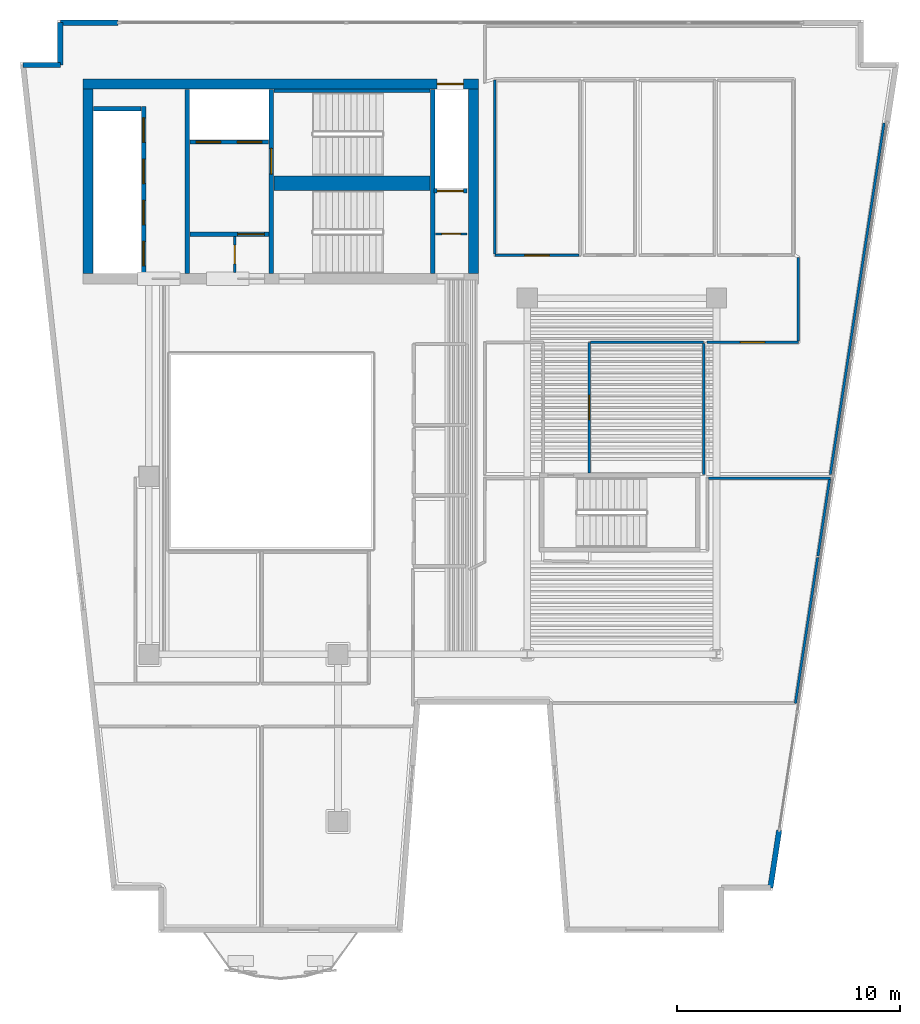
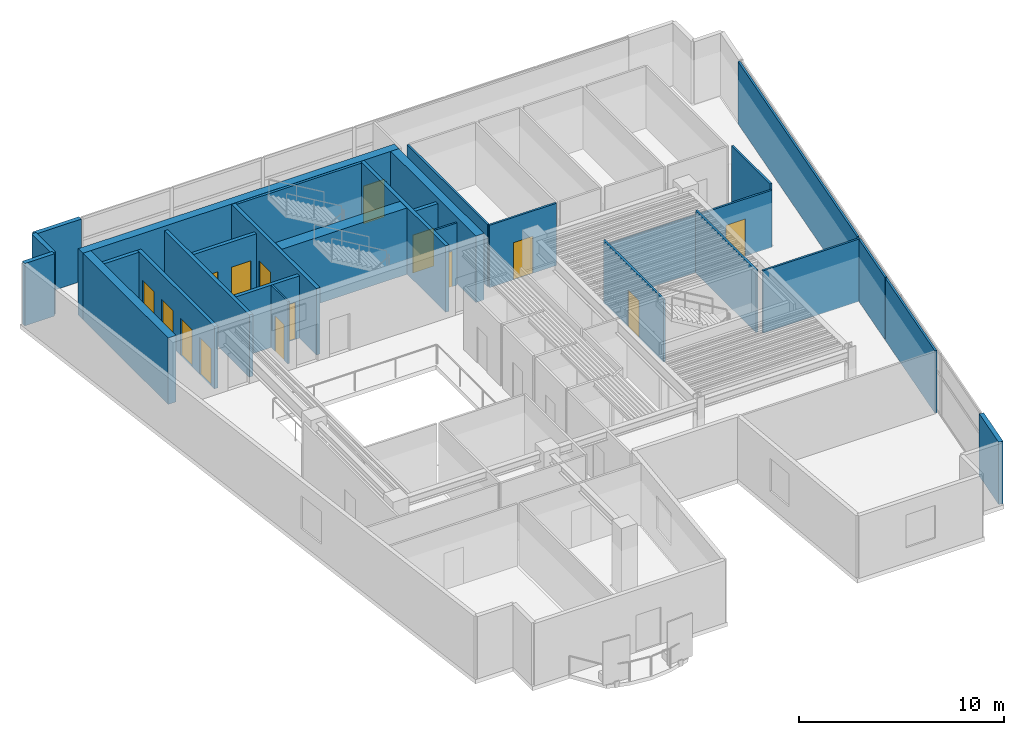
# One storey, part 5 of 8: 30 walls, 15 doors, 15 openings.
"""IFC4 building model written with IfcOpenShell, lengths in metres."""

from ifc_helpers import new_model, si_unit, direction, frame, frame_2d, origin, place, context, subcontext, project, spatial, rectangle, extrude, material, layer, layer_set, type_object, element, fill, save


model = new_model("IFC4")

# Units and contexts
model_context = context("Model", 3, precision=1e-05, world=origin(), true_north=direction((0.0, 1.0)))
body_context = subcontext(model_context, "Body", "Model", "MODEL_VIEW")
ifc_project = project(units=[si_unit("LENGTHUNIT", "METRE"), si_unit("AREAUNIT", "SQUARE_METRE"), si_unit("VOLUMEUNIT", "CUBIC_METRE"), si_unit("PLANEANGLEUNIT", "RADIAN"), si_unit("MASSUNIT", "GRAM", prefix="KILO")], contexts=[model_context])

# Site, building, storey
site_placement = place(None, origin())
site = spatial("IfcSite", under=ifc_project, at=site_placement, CompositionType="ELEMENT")
building_placement = place(site_placement, origin())
building = spatial("IfcBuilding", under=site, at=building_placement, Name="Caeloran Harvest Quay", CompositionType="ELEMENT")
storey_placement = place(building_placement, frame((0.0, 0.0, 243.0)))
storey = spatial("IfcBuildingStorey", under=building, at=storey_placement, Name="L58", CompositionType="ELEMENT", Elevation=243.0)

# Walls
ifc_material_1 = material(Name="Precast concrete C50/60", Category="concrete")
ifc_layer_1 = layer(ifc_material_1, 0.239990234375, Name="Precast concrete C50/60")
ifc_layer_set_1 = layer_set([ifc_layer_1], Name="Precast concrete C50/60")
wall_type_1 = type_object("IfcWallType", Name="ENV-WALL-EW-240", PredefinedType="STANDARD", material=ifc_layer_set_1)
wall_1_placement = place(storey_placement, frame((2.84423828125, 41.47998046875, 0.0), z_axis=(0.0, 0.0, 1.0), x_axis=(1.0, 0.0, 0.0)))
element("IfcWall", 1, at=wall_1_placement, inside=storey, type_object=wall_type_1, Name="L58 Exterior Precast Concrete Facade Wall 4", PredefinedType="STANDARD", context=body_context, shape_type="SweptSolid", body=[
    extrude(rectangle(XDim=1.67578125, YDim=0.239990234375, at=frame_2d((0.837890625, 0.0))), origin(), (0.0, 0.0, 1.0), 3.699951171875),
])
wall_2_placement = place(storey_placement, frame((4.52001953125, 41.47998046875, 0.0), z_axis=(0.0, 0.0, 1.0), x_axis=(0.0, 1.0, 0.0)))
element("IfcWall", 2, at=wall_2_placement, inside=storey, type_object=wall_type_1, Name="L58 Exterior Precast Concrete Facade Wall 5", PredefinedType="STANDARD", context=body_context, shape_type="SweptSolid", body=[
    extrude(rectangle(XDim=1.89990234375, YDim=0.239990234375, at=frame_2d((0.949951171875, 0.0))), origin(), (0.0, 0.0, 1.0), 3.699951171875),
])
wall_3_placement = place(storey_placement, frame((4.52001953125, 43.3798828125, 0.0), z_axis=(0.0, 0.0, 1.0), x_axis=(1.0, 0.0, 0.0)))
element("IfcWall", 3, at=wall_3_placement, inside=storey, type_object=wall_type_1, Name="L58 Exterior Facade Corner Pier Wall 6A", PredefinedType="STANDARD", context=body_context, shape_type="SweptSolid", body=[
    extrude(rectangle(XDim=2.60009765625, YDim=0.239990234375, at=frame_2d((1.300048828125, 0.0))), origin(), (0.0, 0.0, 1.0), 3.699951171875),
])
wall_4_placement = place(storey_placement, frame((36.81591796875, 7.090087890625, 0.0), z_axis=(0.0, 0.0, 1.0), x_axis=(-0.151090396132, -0.988519950328, 0.0)))
element("IfcWall", 4, at=wall_4_placement, inside=storey, type_object=wall_type_1, Name="L58 Exterior Facade Corner Pier Wall 9B", PredefinedType="STANDARD", context=body_context, shape_type="SweptSolid", body=[
    extrude(rectangle(XDim=2.599853515625, YDim=0.239990234375, at=frame_2d((1.2998046875, 0.0))), origin(), (0.0, 0.0, 1.0), 3.699951171875),
])

# Wall, opening, door
ifc_material_2 = material(Name="Fire-Resisting Gypsum Core Riser Partition", Category="gypsum")
ifc_layer_2 = layer(ifc_material_2, 0.10009765625, Name="Fire-Resisting Gypsum Core Riser Partition")
ifc_layer_set_2 = layer_set([ifc_layer_2], Name="Fire-Resisting Gypsum Core Riser Partition")
wall_type_2 = type_object("IfcWallType", Name="INT-WALL-PW-100", PredefinedType="PARTITIONING", material=ifc_layer_set_2)
wall_5_placement = place(storey_placement, frame((12.360107421875, 32.159912109375, 0.0), z_axis=(0.0, 0.0, 1.0), x_axis=(0.0, 1.0, 0.0)))
wall_5 = element("IfcWall", 5, at=wall_5_placement, inside=storey, type_object=wall_type_2, Name="L58 Core Store Partition Wall", PredefinedType="PARTITIONING", context=body_context, shape_type="SweptSolid", body=[
    extrude(rectangle(XDim=1.6201171875, YDim=0.10009765625, at=frame_2d((0.81005859375, 0.0))), origin(), (0.0, 0.0, 1.0), 3.699951171875),
])
opening_1_placement = place(wall_5_placement, frame((0.3798828125, 0.0, 0.0)))
opening_1 = element("IfcOpeningElement", 6, at=opening_1_placement, cuts=wall_5, Name="Opening SV-01", PredefinedType="OPENING", context=body_context, shape_type="SweptSolid", body=[
    extrude(rectangle(XDim=0.85009765625, YDim=2.10009765625, at=frame_2d((0.425048828125, 1.050048828125))), frame((0.0, 0.06005859375, 0.0), z_axis=(0.0, -1.0, 0.0), x_axis=(1.0, 0.0, 0.0)), (0.0, 0.0, 1.0), 0.1201171875),
])
ifc_material_3 = material(Name="Galvanized Painted Steel", Category="steel")
door_type_1 = type_object("IfcDoorType", Name="INTDOOR-SV-01", OperationType="NOTDEFINED", PredefinedType="DOOR", material=ifc_material_3)
door_1_placement = place(opening_1_placement, origin())
door_1 = element("IfcDoor", 7, at=door_1_placement, inside=storey, type_object=door_type_1, Name="L58 Core Service Room Access Door", OperationType="SINGLE_SWING_LEFT", OverallHeight=2.10009765625, OverallWidth=0.85009765625, PredefinedType="DOOR", context=body_context, shape_type="SweptSolid", body=[
    extrude(rectangle(XDim=0.85009765625, YDim=2.10009765625, at=frame_2d((0.425048828125, 1.050048828125))), frame((0.0, 0.02490234375, 0.0), z_axis=(0.0, -1.0, 0.0), x_axis=(1.0, 0.0, 0.0)), (0.0, 0.0, 1.0), 0.050048828125),
])
fill(opening_1, door_1)

wall_6_placement = place(storey_placement, frame((21.3798828125, 33.889892578125, 0.0), z_axis=(0.0, 0.0, 1.0), x_axis=(1.0, 0.0, 0.0)))
wall_6 = element("IfcWall", 8, at=wall_6_placement, inside=storey, type_object=wall_type_2, Name="L58 Cleaner Store Partition Wall", PredefinedType="PARTITIONING", context=body_context, shape_type="SweptSolid", body=[
    extrude(rectangle(XDim=1.420166015625, YDim=0.10009765625, at=frame_2d((0.7099609375, 0.0))), origin(), (0.0, 0.0, 1.0), 3.699951171875),
])
opening_2_placement = place(wall_6_placement, frame((0.280029296875, 0.0, 0.0)))
opening_2 = element("IfcOpeningElement", 9, at=opening_2_placement, cuts=wall_6, Name="Opening SV-01", PredefinedType="OPENING", context=body_context, shape_type="SweptSolid", body=[
    extrude(rectangle(XDim=0.85009765625, YDim=2.10009765625, at=frame_2d((0.425048828125, 1.050048828125))), frame((0.0, 0.06005859375, 0.0), z_axis=(0.0, -1.0, 0.0), x_axis=(1.0, 0.0, 0.0)), (0.0, 0.0, 1.0), 0.1201171875),
])
door_2_placement = place(opening_2_placement, origin())
door_2 = element("IfcDoor", 10, at=door_2_placement, inside=storey, type_object=door_type_1, Name="L58 Cleaner Supply Store Access Door", OperationType="SINGLE_SWING_RIGHT", OverallHeight=2.10009765625, OverallWidth=0.85009765625, PredefinedType="DOOR", context=body_context, shape_type="SweptSolid", body=[
    extrude(rectangle(XDim=0.85009765625, YDim=2.10009765625, at=frame_2d((0.425048828125, 1.050048828125))), frame((0.0, 0.02490234375, 0.0), z_axis=(0.0, -1.0, 0.0), x_axis=(1.0, 0.0, 0.0)), (0.0, 0.0, 1.0), 0.050048828125),
])
fill(opening_2, door_2)

ifc_material_4 = material(Name="Single-Stud Acoustic Gypsum Office Partition", Category="gypsum")
ifc_layer_3 = layer(ifc_material_4, 0.112060546875, Name="Single-Stud Acoustic Gypsum Office Partition")
ifc_layer_set_3 = layer_set([ifc_layer_3], Name="Single-Stud Acoustic Gypsum Office Partition")
wall_type_3 = type_object("IfcWallType", Name="INT-WALL-PW-112", PredefinedType="PARTITIONING", material=ifc_layer_set_3)
wall_7_placement = place(storey_placement, frame((27.819091796875, 32.919921875, 0.0), z_axis=(0.0, 0.0, 1.0), x_axis=(-1.0, 0.0, 0.0)))
wall_7 = element("IfcWall", 11, at=wall_7_placement, inside=storey, type_object=wall_type_3, Name="L58 Crop Phenotyping West Laboratory Partition Wall", PredefinedType="PARTITIONING", context=body_context, shape_type="SweptSolid", body=[
    extrude(rectangle(XDim=3.76904296875, YDim=0.112060546875, at=frame_2d((1.884521484375, 0.0))), origin(), (0.0, 0.0, 1.0), 3.699951171875),
])
opening_3_placement = place(wall_7_placement, frame((1.33447265625, 0.0, 0.0)))
opening_3 = element("IfcOpeningElement", 12, at=opening_3_placement, cuts=wall_7, Name="Opening ID-04", PredefinedType="OPENING", context=body_context, shape_type="SweptSolid", body=[
    extrude(rectangle(XDim=1.10009765625, YDim=2.199951171875, at=frame_2d((0.550048828125, 1.10009765625))), frame((0.0, 0.06591796875, 0.0), z_axis=(0.0, -1.0, 0.0), x_axis=(1.0, 0.0, 0.0)), (0.0, 0.0, 1.0), 0.132080078125),
])
ifc_material_5 = material(Name="Acoustic Walnut Veneer Executive Door", Category="wood")
door_type_2 = type_object("IfcDoorType", Name="INTDOOR-ID-04", OperationType="NOTDEFINED", PredefinedType="DOOR", material=ifc_material_5)
door_3_placement = place(opening_3_placement, origin())
door_3 = element("IfcDoor", 13, at=door_3_placement, inside=storey, type_object=door_type_2, Name="L58 Crop Phenotyping West Laboratory Access Door", OperationType="SINGLE_SWING_LEFT", OverallHeight=2.199951171875, OverallWidth=1.10009765625, PredefinedType="DOOR", context=body_context, shape_type="SweptSolid", body=[
    extrude(rectangle(XDim=1.10009765625, YDim=2.199951171875, at=frame_2d((0.550048828125, 1.10009765625))), frame((0.0, 0.02490234375, 0.0), z_axis=(0.0, -1.0, 0.0), x_axis=(1.0, 0.0, 0.0)), (0.0, 0.0, 1.0), 0.050048828125),
])
fill(opening_3, door_3)

# Walls
wall_8_placement = place(storey_placement, frame((24.050048828125, 32.98095703125, 0.0), z_axis=(0.0, 0.0, 1.0), x_axis=(0.0, 1.0, 0.0)))
element("IfcWall", 14, at=wall_8_placement, inside=storey, type_object=wall_type_3, Name="L58 Crop Phenotyping West Laboratory Partition Wall", PredefinedType="PARTITIONING", context=body_context, shape_type="SweptSolid", body=[
    extrude(rectangle(XDim=7.819091796875, YDim=0.112060546875, at=frame_2d((3.90966796875, 0.0))), origin(), (0.0, 0.0, 1.0), 3.699951171875),
])
wall_9_placement = place(storey_placement, frame((33.64111328125, 22.919921875, 0.0), z_axis=(0.0, 0.0, 1.0), x_axis=(1.0, 0.0, 0.0)))
element("IfcWall", 15, at=wall_9_placement, inside=storey, type_object=wall_type_3, Name="Client Review Meeting Room Partition Wall", PredefinedType="PARTITIONING", context=body_context, shape_type="SweptSolid", body=[
    extrude(rectangle(XDim=5.487060546875, YDim=0.112060546875, at=frame_2d((2.74365234375, 0.0))), origin(), (0.0, 0.0, 1.0), 3.699951171875),
])
wall_10_placement = place(storey_placement, frame((39.083740234375, 22.85888671875, 0.0), z_axis=(0.0, 0.0, 1.0), x_axis=(-0.151050155671, -0.988526100046, 0.0)))
element("IfcWall", 16, at=wall_10_placement, inside=storey, type_object=wall_type_3, Name="Client Review Meeting Room Partition Wall", PredefinedType="PARTITIONING", context=body_context, shape_type="SweptSolid", body=[
    extrude(rectangle(XDim=3.47998046875, YDim=0.112060546875, at=frame_2d((1.739990234375, 0.0))), origin(), (0.0, 0.0, 1.0), 3.699951171875),
])
wall_11_placement = place(storey_placement, frame((38.547607421875, 19.351806640625, 0.0), z_axis=(0.0, 0.0, 1.0), x_axis=(-0.150955405806, -0.988540573501, 0.0)))
element("IfcWall", 17, at=wall_11_placement, inside=storey, type_object=wall_type_3, Name="Client Review Meeting Room Partition Wall", PredefinedType="PARTITIONING", context=body_context, shape_type="SweptSolid", body=[
    extrude(rectangle(XDim=6.627685546875, YDim=0.112060546875, at=frame_2d((3.31396484375, 0.0))), origin(), (0.0, 0.0, 1.0), 3.699951171875),
])

# Wall, opening, door
wall_12_placement = place(storey_placement, frame((28.280029296875, 23.155029296875, 0.0), z_axis=(0.0, 0.0, 1.0), x_axis=(0.0, 1.0, 0.0)))
wall_12 = element("IfcWall", 18, at=wall_12_placement, inside=storey, type_object=wall_type_3, Name="Sustainable Urbanism Advisory Office 7 Partition Wall", PredefinedType="PARTITIONING", context=body_context, shape_type="SweptSolid", body=[
    extrude(rectangle(XDim=5.864990234375, YDim=0.112060546875, at=frame_2d((2.9326171875, 0.0))), origin(), (0.0, 0.0, 1.0), 3.699951171875),
])
opening_4_placement = place(wall_12_placement, frame((2.382568359375, 0.0, 0.0)))
opening_4 = element("IfcOpeningElement", 19, at=opening_4_placement, cuts=wall_12, Name="Opening ID-04", PredefinedType="OPENING", context=body_context, shape_type="SweptSolid", body=[
    extrude(rectangle(XDim=1.10009765625, YDim=2.199951171875, at=frame_2d((0.550048828125, 1.10009765625))), frame((0.0, 0.06591796875, 0.0), z_axis=(0.0, -1.0, 0.0), x_axis=(1.0, 0.0, 0.0)), (0.0, 0.0, 1.0), 0.132080078125),
])
door_4_placement = place(opening_4_placement, origin())
door_4 = element("IfcDoor", 20, at=door_4_placement, inside=storey, type_object=door_type_2, Name="Sustainable Urbanism Advisory Office 7 Access Door", OperationType="SINGLE_SWING_RIGHT", OverallHeight=2.199951171875, OverallWidth=1.10009765625, PredefinedType="DOOR", context=body_context, shape_type="SweptSolid", body=[
    extrude(rectangle(XDim=1.10009765625, YDim=2.199951171875, at=frame_2d((0.550048828125, 1.10009765625))), frame((0.0, 0.02490234375, 0.0), z_axis=(0.0, -1.0, 0.0), x_axis=(1.0, 0.0, 0.0)), (0.0, 0.0, 1.0), 0.050048828125),
])
fill(opening_4, door_4)

# Walls
wall_13_placement = place(storey_placement, frame((28.341064453125, 29.02001953125, 0.0), z_axis=(0.0, 0.0, 1.0), x_axis=(1.0, 0.0, 0.0)))
element("IfcWall", 21, at=wall_13_placement, inside=storey, type_object=wall_type_3, Name="Sustainable Urbanism Advisory Office 7 Partition Wall", PredefinedType="PARTITIONING", context=body_context, shape_type="SweptSolid", body=[
    extrude(rectangle(XDim=5.078857421875, YDim=0.112060546875, at=frame_2d((2.53955078125, 0.0))), origin(), (0.0, 0.0, 1.0), 3.385009765625),
])
wall_14_placement = place(storey_placement, frame((33.419921875, 28.958984375, 0.0), z_axis=(0.0, 0.0, 1.0), x_axis=(0.0, -1.0, 0.0)))
element("IfcWall", 22, at=wall_14_placement, inside=storey, type_object=wall_type_3, Name="Sustainable Urbanism Advisory Office 7 Partition Wall", PredefinedType="PARTITIONING", context=body_context, shape_type="SweptSolid", body=[
    extrude(rectangle(XDim=5.87890625, YDim=0.112060546875, at=frame_2d((2.939453125, 0.0))), origin(), (0.0, 0.0, 1.0), 3.699951171875),
])
wall_15_placement = place(storey_placement, frame((41.529052734375, 38.86669921875, 0.0), z_axis=(0.0, 0.0, 1.0), x_axis=(-0.151041582551, -0.98852741001, 0.0)))
element("IfcWall", 23, at=wall_15_placement, inside=storey, type_object=wall_type_3, Name="GIS Spatial Modelling Lab 8 Partition Wall", PredefinedType="PARTITIONING", context=body_context, shape_type="SweptSolid", body=[
    extrude(rectangle(XDim=15.9697265625, YDim=0.112060546875, at=frame_2d((7.98486328125, 0.0))), origin(), (0.0, 0.0, 1.0), 3.699951171875),
])

# Wall, opening, door
wall_16_placement = place(storey_placement, frame((33.580078125, 29.02001953125, 0.0), z_axis=(0.0, 0.0, 1.0), x_axis=(1.0, 0.0, 0.0)))
wall_16 = element("IfcWall", 24, at=wall_16_placement, inside=storey, type_object=wall_type_3, Name="GIS Spatial Modelling Lab 8 Partition Wall", PredefinedType="PARTITIONING", context=body_context, shape_type="SweptSolid", body=[
    extrude(rectangle(XDim=4.099853515625, YDim=0.112060546875, at=frame_2d((2.0498046875, 0.0))), origin(), (0.0, 0.0, 1.0), 3.385009765625),
])
opening_5_placement = place(wall_16_placement, frame((1.5, 0.0, 0.0)))
opening_5 = element("IfcOpeningElement", 25, at=opening_5_placement, cuts=wall_16, Name="Opening ID-04", PredefinedType="OPENING", context=body_context, shape_type="SweptSolid", body=[
    extrude(rectangle(XDim=1.10009765625, YDim=2.199951171875, at=frame_2d((0.550048828125, 1.10009765625))), frame((0.0, 0.06591796875, 0.0), z_axis=(0.0, -1.0, 0.0), x_axis=(1.0, 0.0, 0.0)), (0.0, 0.0, 1.0), 0.132080078125),
])
door_5_placement = place(opening_5_placement, origin())
door_5 = element("IfcDoor", 26, at=door_5_placement, inside=storey, type_object=door_type_2, Name="GIS Spatial Modelling Lab 8 Access Door", OperationType="SINGLE_SWING_LEFT", OverallHeight=2.199951171875, OverallWidth=1.10009765625, PredefinedType="DOOR", context=body_context, shape_type="SweptSolid", body=[
    extrude(rectangle(XDim=1.10009765625, YDim=2.199951171875, at=frame_2d((0.550048828125, 1.10009765625))), frame((0.0, 0.02490234375, 0.0), z_axis=(0.0, -1.0, 0.0), x_axis=(1.0, 0.0, 0.0)), (0.0, 0.0, 1.0), 0.050048828125),
])
fill(opening_5, door_5)

# Wall
wall_17_placement = place(storey_placement, frame((37.679931640625, 29.0810546875, 0.0), z_axis=(0.0, 0.0, 1.0), x_axis=(0.0, 1.0, 0.0)))
element("IfcWall", 27, at=wall_17_placement, inside=storey, type_object=wall_type_3, Name="GIS Spatial Modelling Lab 8 Partition Wall", PredefinedType="PARTITIONING", context=body_context, shape_type="SweptSolid", body=[
    extrude(rectangle(XDim=3.741943359375, YDim=0.112060546875, at=frame_2d((1.87109375, 0.0))), origin(), (0.0, 0.0, 1.0), 3.699951171875),
])

# Wall, openings, doors
ifc_material_6 = material(Name="Concrete C50/60", Category="concrete")
ifc_layer_4 = layer(ifc_material_6, 0.199951171875, Name="Concrete C50/60")
ifc_layer_set_4 = layer_set([ifc_layer_4], Name="Concrete C50/60")
wall_type_4 = type_object("IfcWallType", Name="INT-WALL-SW-200", PredefinedType="PARTITIONING", material=ifc_layer_set_4)
wall_18_placement = place(storey_placement, frame((8.260009765625, 32.1201171875, 0.0), z_axis=(0.0, 0.0, 1.0), x_axis=(0.0, 1.0, 0.0)))
wall_18 = element("IfcWall", 28, at=wall_18_placement, inside=storey, type_object=wall_type_4, Name="L58 Bank 3 Lift Shaft Wall", PredefinedType="PARTITIONING", context=body_context, shape_type="SweptSolid", body=[
    extrude(rectangle(XDim=7.5, YDim=0.199951171875, at=frame_2d((3.75, 0.0))), origin(), (0.0, 0.0, 1.0), 3.699951171875),
])
opening_6_placement = place(wall_18_placement, frame((0.330078125, 0.0, 0.0)))
opening_6 = element("IfcOpeningElement", 29, at=opening_6_placement, cuts=wall_18, Name="Opening LD-01", PredefinedType="OPENING", context=body_context, shape_type="SweptSolid", body=[
    extrude(rectangle(XDim=1.10009765625, YDim=2.199951171875, at=frame_2d((0.550048828125, 1.10009765625))), frame((0.0, 0.10986328125, 0.0), z_axis=(0.0, -1.0, 0.0), x_axis=(1.0, 0.0, 0.0)), (0.0, 0.0, 1.0), 0.219970703125),
])
opening_7_placement = place(wall_18_placement, frame((2.179931640625, 0.0, 0.0)))
opening_7 = element("IfcOpeningElement", 30, at=opening_7_placement, cuts=wall_18, Name="Opening LD-01", PredefinedType="OPENING", context=body_context, shape_type="SweptSolid", body=[
    extrude(rectangle(XDim=1.10009765625, YDim=2.199951171875, at=frame_2d((0.550048828125, 1.10009765625))), frame((0.0, 0.10986328125, 0.0), z_axis=(0.0, -1.0, 0.0), x_axis=(1.0, 0.0, 0.0)), (0.0, 0.0, 1.0), 0.219970703125),
])
opening_8_placement = place(wall_18_placement, frame((4.030029296875, 0.0, 0.0)))
opening_8 = element("IfcOpeningElement", 31, at=opening_8_placement, cuts=wall_18, Name="Opening LD-01", PredefinedType="OPENING", context=body_context, shape_type="SweptSolid", body=[
    extrude(rectangle(XDim=1.10009765625, YDim=2.199951171875, at=frame_2d((0.550048828125, 1.10009765625))), frame((0.0, 0.10986328125, 0.0), z_axis=(0.0, -1.0, 0.0), x_axis=(1.0, 0.0, 0.0)), (0.0, 0.0, 1.0), 0.219970703125),
])
opening_9_placement = place(wall_18_placement, frame((5.8798828125, 0.0, 0.0)))
opening_9 = element("IfcOpeningElement", 32, at=opening_9_placement, cuts=wall_18, Name="Opening LD-01", PredefinedType="OPENING", context=body_context, shape_type="SweptSolid", body=[
    extrude(rectangle(XDim=1.10009765625, YDim=2.199951171875, at=frame_2d((0.550048828125, 1.10009765625))), frame((0.0, 0.10986328125, 0.0), z_axis=(0.0, -1.0, 0.0), x_axis=(1.0, 0.0, 0.0)), (0.0, 0.0, 1.0), 0.219970703125),
])
ifc_material_7 = material(Name="Stainless Steel Grade 316", Category="steel")
door_type_3 = type_object("IfcDoorType", Name="INTDOOR-LD-01", OperationType="NOTDEFINED", PredefinedType="DOOR", material=ifc_material_7)
door_6_placement = place(opening_6_placement, origin())
door_6 = element("IfcDoor", 33, at=door_6_placement, inside=storey, type_object=door_type_3, Name="Lift P3-1 Sliding Landing Door (L58)", OperationType="DOUBLE_DOOR_SLIDING", OverallHeight=2.199951171875, OverallWidth=1.10009765625, PredefinedType="DOOR", context=body_context, shape_type="SweptSolid", body=[
    extrude(rectangle(XDim=1.10009765625, YDim=2.199951171875, at=frame_2d((0.550048828125, 1.10009765625))), frame((0.0, 0.02490234375, 0.0), z_axis=(0.0, -1.0, 0.0), x_axis=(1.0, 0.0, 0.0)), (0.0, 0.0, 1.0), 0.050048828125),
])
fill(opening_6, door_6)
door_7_placement = place(opening_7_placement, origin())
door_7 = element("IfcDoor", 34, at=door_7_placement, inside=storey, type_object=door_type_3, Name="Lift P3-2 Sliding Landing Door (L58)", OperationType="DOUBLE_DOOR_SLIDING", OverallHeight=2.199951171875, OverallWidth=1.10009765625, PredefinedType="DOOR", context=body_context, shape_type="SweptSolid", body=[
    extrude(rectangle(XDim=1.10009765625, YDim=2.199951171875, at=frame_2d((0.550048828125, 1.10009765625))), frame((0.0, 0.02490234375, 0.0), z_axis=(0.0, -1.0, 0.0), x_axis=(1.0, 0.0, 0.0)), (0.0, 0.0, 1.0), 0.050048828125),
])
fill(opening_7, door_7)
door_8_placement = place(opening_8_placement, origin())
door_8 = element("IfcDoor", 35, at=door_8_placement, inside=storey, type_object=door_type_3, Name="Lift P3-3 Sliding Landing Door (L58)", OperationType="DOUBLE_DOOR_SLIDING", OverallHeight=2.199951171875, OverallWidth=1.10009765625, PredefinedType="DOOR", context=body_context, shape_type="SweptSolid", body=[
    extrude(rectangle(XDim=1.10009765625, YDim=2.199951171875, at=frame_2d((0.550048828125, 1.10009765625))), frame((0.0, 0.02490234375, 0.0), z_axis=(0.0, -1.0, 0.0), x_axis=(1.0, 0.0, 0.0)), (0.0, 0.0, 1.0), 0.050048828125),
])
fill(opening_8, door_8)
door_9_placement = place(opening_9_placement, origin())
door_9 = element("IfcDoor", 36, at=door_9_placement, inside=storey, type_object=door_type_3, Name="Lift P3-4 Sliding Landing Door (L58)", OperationType="DOUBLE_DOOR_SLIDING", OverallHeight=2.199951171875, OverallWidth=1.10009765625, PredefinedType="DOOR", context=body_context, shape_type="SweptSolid", body=[
    extrude(rectangle(XDim=1.10009765625, YDim=2.199951171875, at=frame_2d((0.550048828125, 1.10009765625))), frame((0.0, 0.02490234375, 0.0), z_axis=(0.0, -1.0, 0.0), x_axis=(1.0, 0.0, 0.0)), (0.0, 0.0, 1.0), 0.050048828125),
])
fill(opening_9, door_9)

# Walls
wall_19_placement = place(storey_placement, frame((6.02001953125, 39.52001953125, 0.0), z_axis=(0.0, 0.0, 1.0), x_axis=(1.0, 0.0, 0.0)))
element("IfcWall", 37, at=wall_19_placement, inside=storey, type_object=wall_type_4, Name="L58 Bank 3 Lift Shaft North End Wall", PredefinedType="PARTITIONING", context=body_context, shape_type="SweptSolid", body=[
    extrude(rectangle(XDim=2.119873046875, YDim=0.199951171875, at=frame_2d((1.06005859375, 0.0))), origin(), (0.0, 0.0, 1.0), 3.699951171875),
])
wall_20_placement = place(storey_placement, frame((10.219970703125, 32.1201171875, 0.0), z_axis=(0.0, 0.0, 1.0), x_axis=(0.0, 1.0, 0.0)))
element("IfcWall", 38, at=wall_20_placement, inside=storey, type_object=wall_type_4, Name="L58 Core Lobby Compartment Wall", PredefinedType="PARTITIONING", context=body_context, shape_type="SweptSolid", body=[
    extrude(rectangle(XDim=8.259765625, YDim=0.199951171875, at=frame_2d((4.1298828125, 0.0))), origin(), (0.0, 0.0, 1.0), 3.699951171875),
])

# Wall, openings, doors
wall_21_placement = place(storey_placement, frame((10.340087890625, 38.02001953125, 0.0), z_axis=(0.0, 0.0, 1.0), x_axis=(1.0, 0.0, 0.0)))
wall_21 = element("IfcWall", 39, at=wall_21_placement, inside=storey, type_object=wall_type_4, Name="L58 Firefighting Lift Shaft Wall", PredefinedType="PARTITIONING", context=body_context, shape_type="SweptSolid", body=[
    extrude(rectangle(XDim=3.539794921875, YDim=0.199951171875, at=frame_2d((1.77001953125, 0.0))), origin(), (0.0, 0.0, 1.0), 3.699951171875),
])
opening_10_placement = place(wall_21_placement, frame((0.284912109375, 0.0, 0.0)))
opening_10 = element("IfcOpeningElement", 40, at=opening_10_placement, cuts=wall_21, Name="Opening LD-01", PredefinedType="OPENING", context=body_context, shape_type="SweptSolid", body=[
    extrude(rectangle(XDim=1.10009765625, YDim=2.199951171875, at=frame_2d((0.550048828125, 1.10009765625))), frame((0.0, 0.10986328125, 0.0), z_axis=(0.0, -1.0, 0.0), x_axis=(1.0, 0.0, 0.0)), (0.0, 0.0, 1.0), 0.219970703125),
])
opening_11_placement = place(wall_21_placement, frame((2.135009765625, 0.0, 0.0)))
opening_11 = element("IfcOpeningElement", 41, at=opening_11_placement, cuts=wall_21, Name="Opening LD-01", PredefinedType="OPENING", context=body_context, shape_type="SweptSolid", body=[
    extrude(rectangle(XDim=1.10009765625, YDim=2.199951171875, at=frame_2d((0.550048828125, 1.10009765625))), frame((0.0, 0.10986328125, 0.0), z_axis=(0.0, -1.0, 0.0), x_axis=(1.0, 0.0, 0.0)), (0.0, 0.0, 1.0), 0.219970703125),
])
door_10_placement = place(opening_10_placement, origin())
door_10 = element("IfcDoor", 42, at=door_10_placement, inside=storey, type_object=door_type_3, Name="Lift FF-1 Sliding Landing Door (L58)", OperationType="DOUBLE_DOOR_SLIDING", OverallHeight=2.199951171875, OverallWidth=1.10009765625, PredefinedType="DOOR", context=body_context, shape_type="SweptSolid", body=[
    extrude(rectangle(XDim=1.10009765625, YDim=2.199951171875, at=frame_2d((0.550048828125, 1.10009765625))), frame((0.0, 0.02490234375, 0.0), z_axis=(0.0, -1.0, 0.0), x_axis=(1.0, 0.0, 0.0)), (0.0, 0.0, 1.0), 0.050048828125),
])
fill(opening_10, door_10)
door_11_placement = place(opening_11_placement, origin())
door_11 = element("IfcDoor", 43, at=door_11_placement, inside=storey, type_object=door_type_3, Name="Lift FF-2 Sliding Landing Door (L58)", OperationType="DOUBLE_DOOR_SLIDING", OverallHeight=2.199951171875, OverallWidth=1.10009765625, PredefinedType="DOOR", context=body_context, shape_type="SweptSolid", body=[
    extrude(rectangle(XDim=1.10009765625, YDim=2.199951171875, at=frame_2d((0.550048828125, 1.10009765625))), frame((0.0, 0.02490234375, 0.0), z_axis=(0.0, -1.0, 0.0), x_axis=(1.0, 0.0, 0.0)), (0.0, 0.0, 1.0), 0.050048828125),
])
fill(opening_11, door_11)

# Wall, opening, door
wall_22_placement = place(storey_placement, frame((10.340087890625, 33.8798828125, 0.0), z_axis=(0.0, 0.0, 1.0), x_axis=(1.0, 0.0, 0.0)))
wall_22 = element("IfcWall", 44, at=wall_22_placement, inside=storey, type_object=wall_type_4, Name="L58 Firefighting Lift Lobby Enclosure Wall", PredefinedType="PARTITIONING", context=body_context, shape_type="SweptSolid", body=[
    extrude(rectangle(XDim=3.559814453125, YDim=0.199951171875, at=frame_2d((1.77978515625, 0.0))), origin(), (0.0, 0.0, 1.0), 3.699951171875),
])
opening_12_placement = place(wall_22_placement, frame((2.14990234375, 0.0, 0.0)))
opening_12 = element("IfcOpeningElement", 45, at=opening_12_placement, cuts=wall_22, Name="Opening FD-01", PredefinedType="OPENING", context=body_context, shape_type="SweptSolid", body=[
    extrude(rectangle(XDim=1.199951171875, YDim=2.199951171875, at=frame_2d((0.60009765625, 1.10009765625))), frame((0.0, 0.10986328125, 0.0), z_axis=(0.0, -1.0, 0.0), x_axis=(1.0, 0.0, 0.0)), (0.0, 0.0, 1.0), 0.219970703125),
])
ifc_material_8 = material(Name="Steel", Category="steel")
door_type_4 = type_object("IfcDoorType", Name="INTDOOR-FD-01", OperationType="NOTDEFINED", PredefinedType="DOOR", material=ifc_material_8)
door_12_placement = place(opening_12_placement, origin())
door_12 = element("IfcDoor", 46, at=door_12_placement, inside=storey, type_object=door_type_4, Name="L58 Firefighting Lift Lobby Smoke-Seal Fire Door", OperationType="SINGLE_SWING_LEFT", OverallHeight=2.199951171875, OverallWidth=1.199951171875, PredefinedType="DOOR", context=body_context, shape_type="SweptSolid", body=[
    extrude(rectangle(XDim=1.199951171875, YDim=2.199951171875, at=frame_2d((0.60009765625, 1.10009765625))), frame((0.0, 0.02490234375, 0.0), z_axis=(0.0, -1.0, 0.0), x_axis=(1.0, 0.0, 0.0)), (0.0, 0.0, 1.0), 0.050048828125),
])
fill(opening_12, door_12)

wall_23_placement = place(storey_placement, frame((21.300048828125, 35.820068359375, 0.0), z_axis=(0.0, 0.0, 1.0), x_axis=(1.0, 0.0, 0.0)))
wall_23 = element("IfcWall", 47, at=wall_23_placement, inside=storey, type_object=wall_type_4, Name="L58 Service Lift SV-2 Shaft Wall", PredefinedType="PARTITIONING", context=body_context, shape_type="SweptSolid", body=[
    extrude(rectangle(XDim=1.5, YDim=0.199951171875, at=frame_2d((0.75, 0.0))), origin(), (0.0, 0.0, 1.0), 3.699951171875),
])
opening_13_placement = place(wall_23_placement, frame((0.14501953125, 0.0, 0.0)))
opening_13 = element("IfcOpeningElement", 48, at=opening_13_placement, cuts=wall_23, Name="Opening LD-02", PredefinedType="OPENING", context=body_context, shape_type="SweptSolid", body=[
    extrude(rectangle(XDim=1.179931640625, YDim=2.25, at=frame_2d((0.58984375, 1.125))), frame((0.0, 0.10986328125, 0.0), z_axis=(0.0, -1.0, 0.0), x_axis=(1.0, 0.0, 0.0)), (0.0, 0.0, 1.0), 0.219970703125),
])
door_type_5 = type_object("IfcDoorType", Name="INTDOOR-LD-02", OperationType="NOTDEFINED", PredefinedType="DOOR", material=ifc_material_7)
door_13_placement = place(opening_13_placement, origin())
door_13 = element("IfcDoor", 49, at=door_13_placement, inside=storey, type_object=door_type_5, Name="Lift SV-2 Sliding Landing Door (L58)", OperationType="DOUBLE_DOOR_SLIDING", OverallHeight=2.25, OverallWidth=1.179931640625, PredefinedType="DOOR", context=body_context, shape_type="SweptSolid", body=[
    extrude(rectangle(XDim=1.179931640625, YDim=2.25, at=frame_2d((0.58984375, 1.125))), frame((0.0, 0.02490234375, 0.0), z_axis=(0.0, -1.0, 0.0), x_axis=(1.0, 0.0, 0.0)), (0.0, 0.0, 1.0), 0.050048828125),
])
fill(opening_13, door_13)

ifc_material_9 = material(Name="Concrete C60/75", Category="concrete")
ifc_layer_5 = layer(ifc_material_9, 0.449951171875, Name="Concrete C60/75")
ifc_layer_set_5 = layer_set([ifc_layer_5], Name="Concrete C60/75")
wall_type_5 = type_object("IfcWallType", Name="STR-WALL-CW-450", PredefinedType="SHEAR", material=ifc_layer_set_5)
wall_24_placement = place(storey_placement, frame((5.550048828125, 40.625, 0.0), z_axis=(0.0, 0.0, 1.0), x_axis=(1.0, 0.0, 0.0)))
wall_24 = element("IfcWall", 50, at=wall_24_placement, inside=storey, type_object=wall_type_5, Name="L58 Rear Core Shear Wall N", PredefinedType="SHEAR", context=body_context, shape_type="SweptSolid", body=[
    extrude(rectangle(XDim=17.75, YDim=0.449951171875, at=frame_2d((8.875, 0.0))), origin(), (0.0, 0.0, 1.0), 3.949951171875),
])
opening_14_placement = place(wall_24_placement, frame((15.89501953125, 0.0, 0.0)))
opening_14 = element("IfcOpeningElement", 51, at=opening_14_placement, cuts=wall_24, Name="Opening LD-02", PredefinedType="OPENING", context=body_context, shape_type="SweptSolid", body=[
    extrude(rectangle(XDim=1.179931640625, YDim=2.25, at=frame_2d((0.58984375, 1.125))), frame((0.0, 0.23486328125, 0.0), z_axis=(0.0, -1.0, 0.0), x_axis=(1.0, 0.0, 0.0)), (0.0, 0.0, 1.0), 0.469970703125),
])
door_14_placement = place(opening_14_placement, origin())
door_14 = element("IfcDoor", 52, at=door_14_placement, inside=storey, type_object=door_type_5, Name="Lift SV-1 Sliding Landing Door (L58)", OperationType="DOUBLE_DOOR_SLIDING", OverallHeight=2.25, OverallWidth=1.179931640625, PredefinedType="DOOR", context=body_context, shape_type="SweptSolid", body=[
    extrude(rectangle(XDim=1.179931640625, YDim=2.25, at=frame_2d((0.58984375, 1.125))), frame((0.0, 0.02490234375, 0.0), z_axis=(0.0, -1.0, 0.0), x_axis=(1.0, 0.0, 0.0)), (0.0, 0.0, 1.0), 0.050048828125),
])
fill(opening_14, door_14)

# Walls
for number, where, z_axis, x_axis, name in (
    (53, (5.77490234375, 32.10009765625, 0.0), (0.0, 0.0, 1.0), (0.0, 1.0, 0.0), "L58 Rear Core Shear Wall W"),
    (54, (23.074951171875, 32.10009765625, 0.0), (0.0, 0.0, 1.0), (0.0, 1.0, 0.0), "L58 Rear Core Shear Wall E"),
):
    element("IfcWall", number, at=place(storey_placement, frame(where, z_axis=z_axis, x_axis=x_axis)), inside=storey, type_object=wall_type_5, Name=name, PredefinedType="SHEAR", context=body_context, shape_type="SweptSolid", body=[
        extrude(rectangle(XDim=8.2998046875, YDim=0.449951171875, at=frame_2d((4.14990234375, 0.0))), origin(), (0.0, 0.0, 1.0), 3.949951171875),
    ])
ifc_layer_6 = layer(ifc_material_9, 0.64990234375, Name="Concrete C60/75")
ifc_layer_set_6 = layer_set([ifc_layer_6], Name="Concrete C60/75")
wall_type_6 = type_object("IfcWallType", Name="STR-WALL-CW-650", PredefinedType="SHEAR", material=ifc_layer_set_6)
wall_25_placement = place(storey_placement, frame((14.1201171875, 36.175048828125, 0.0), z_axis=(0.0, 0.0, 1.0), x_axis=(1.0, 0.0, 0.0)))
element("IfcWall", 55, at=wall_25_placement, inside=storey, type_object=wall_type_6, Name="L58 Core Stairs Dividing Shear Wall", PredefinedType="SHEAR", context=body_context, shape_type="SweptSolid", body=[
    extrude(rectangle(XDim=7.009765625, YDim=0.64990234375, at=frame_2d((3.5048828125, 0.0))), origin(), (0.0, 0.0, 1.0), 3.949951171875),
])
ifc_layer_7 = layer(ifc_material_9, 0.139892578125, Name="Concrete C60/75")
ifc_layer_set_7 = layer_set([ifc_layer_7], Name="Concrete C60/75")
wall_type_7 = type_object("IfcWallType", Name="STR-WALL-SW-140", PredefinedType="SHEAR", material=ifc_layer_set_7)
wall_26_placement = place(storey_placement, frame((14.1201171875, 40.320068359375, 0.0), z_axis=(0.0, 0.0, 1.0), x_axis=(1.0, 0.0, 0.0)))
element("IfcWall", 56, at=wall_26_placement, inside=storey, type_object=wall_type_7, Name="L58 Core Stair ST-C1 North Bearing Shear Wall", PredefinedType="SHEAR", context=body_context, shape_type="SweptSolid", body=[
    extrude(rectangle(XDim=7.009765625, YDim=0.139892578125, at=frame_2d((3.5048828125, 0.0))), origin(), (0.0, 0.0, 1.0), 3.949951171875),
])

# Wall, opening, door
ifc_layer_8 = layer(ifc_material_9, 0.199951171875, Name="Concrete C60/75")
ifc_layer_set_8 = layer_set([ifc_layer_8], Name="Concrete C60/75")
wall_type_8 = type_object("IfcWallType", Name="STR-WALL-SW-200", PredefinedType="SHEAR", material=ifc_layer_set_8)
wall_27_placement = place(storey_placement, frame((14.0, 32.1201171875, 0.0), z_axis=(0.0, 0.0, 1.0), x_axis=(0.0, 1.0, 0.0)))
wall_27 = element("IfcWall", 57, at=wall_27_placement, inside=storey, type_object=wall_type_8, Name="L58 Core Stair Shaft West Shear Wall", PredefinedType="SHEAR", context=body_context, shape_type="SweptSolid", body=[
    extrude(rectangle(XDim=8.259765625, YDim=0.199951171875, at=frame_2d((4.1298828125, 0.0))), origin(), (0.0, 0.0, 1.0), 3.949951171875),
])
opening_15_placement = place(wall_27_placement, frame((4.4599609375, 0.0, 0.0)))
opening_15 = element("IfcOpeningElement", 58, at=opening_15_placement, cuts=wall_27, Name="Opening SD-01", PredefinedType="OPENING", context=body_context, shape_type="SweptSolid", body=[
    extrude(rectangle(XDim=1.14990234375, YDim=2.199951171875, at=frame_2d((0.574951171875, 1.10009765625))), frame((0.0, 0.10986328125, 0.0), z_axis=(0.0, -1.0, 0.0), x_axis=(1.0, 0.0, 0.0)), (0.0, 0.0, 1.0), 0.219970703125),
])
door_type_6 = type_object("IfcDoorType", Name="INTDOOR-SD-01", OperationType="NOTDEFINED", PredefinedType="DOOR", material=ifc_material_8)
door_15_placement = place(opening_15_placement, origin())
door_15 = element("IfcDoor", 59, at=door_15_placement, inside=storey, type_object=door_type_6, Name="L58 Protected Stair ST-C1 Exit Door", OperationType="SINGLE_SWING_LEFT", OverallHeight=2.199951171875, OverallWidth=1.14990234375, PredefinedType="DOOR", context=body_context, shape_type="SweptSolid", body=[
    extrude(rectangle(XDim=1.14990234375, YDim=2.199951171875, at=frame_2d((0.574951171875, 1.10009765625))), frame((0.0, 0.02490234375, 0.0), z_axis=(0.0, -1.0, 0.0), x_axis=(1.0, 0.0, 0.0)), (0.0, 0.0, 1.0), 0.050048828125),
])
fill(opening_15, door_15)

# Wall
wall_28_placement = place(storey_placement, frame((21.25, 32.1201171875, 0.0), z_axis=(0.0, 0.0, 1.0), x_axis=(0.0, 1.0, 0.0)))
element("IfcWall", 60, at=wall_28_placement, inside=storey, type_object=wall_type_8, Name="L58 Core Stair Shaft East Shear Wall", PredefinedType="SHEAR", context=body_context, shape_type="SweptSolid", body=[
    extrude(rectangle(XDim=8.259765625, YDim=0.199951171875, at=frame_2d((4.1298828125, 0.0))), origin(), (0.0, 0.0, 1.0), 3.949951171875),
])

save(model, "model.ifc")
